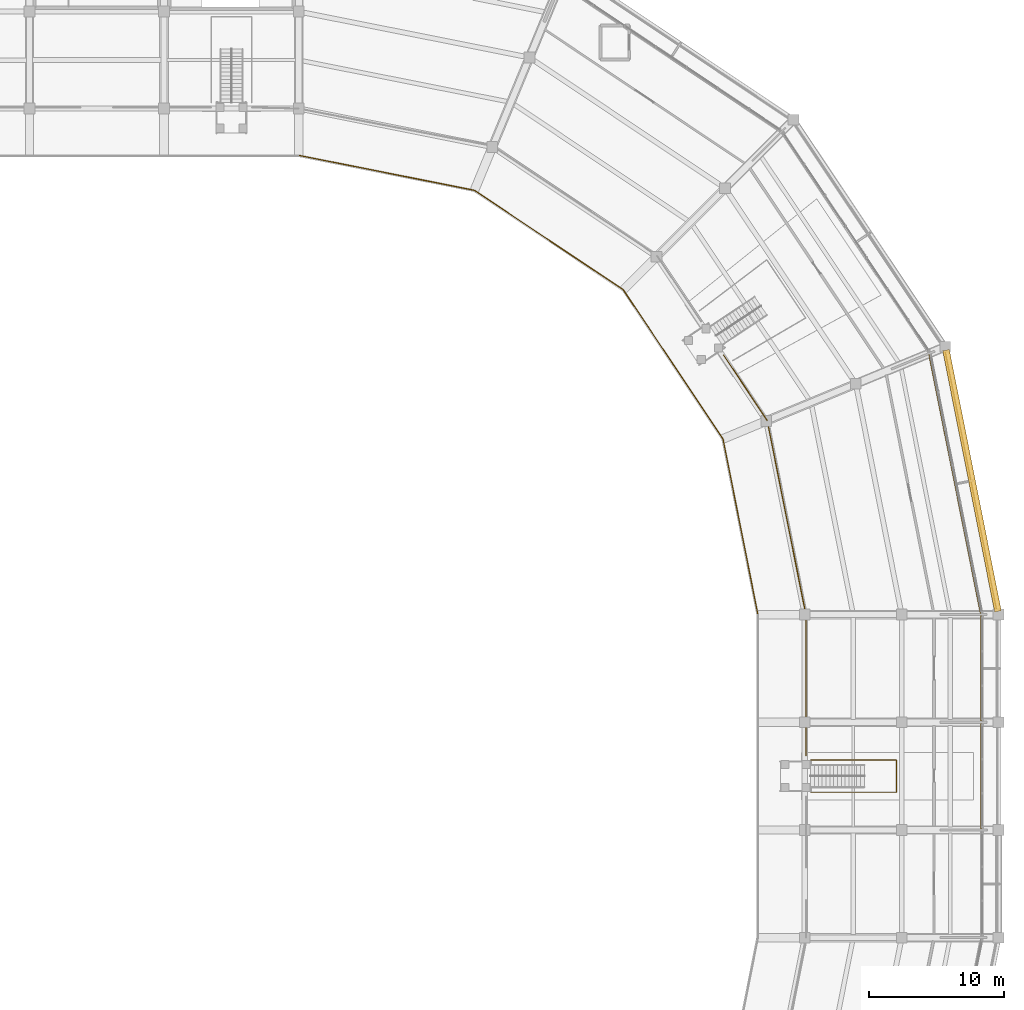
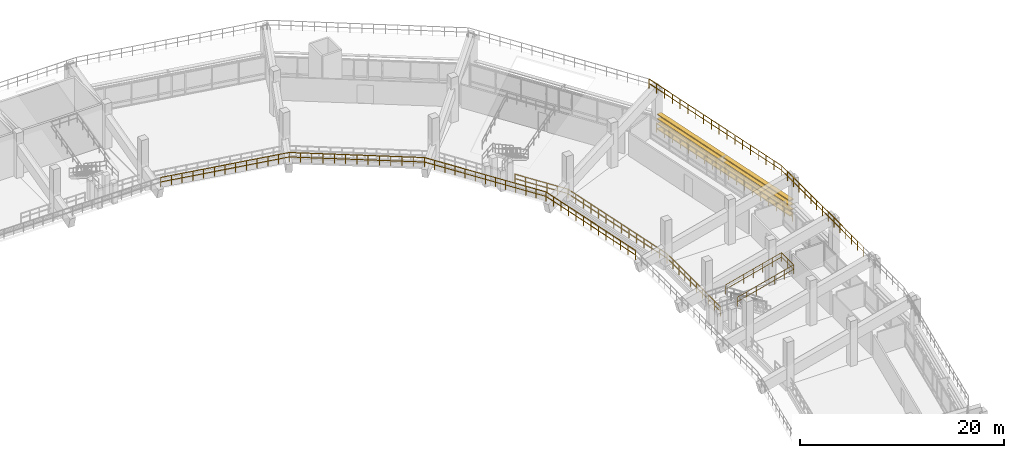
# One storey, part 91 of 96: 12 railings, 4 shading devices.
"""IFC4 building model written with IfcOpenShell, lengths in metres."""

from ifc_helpers import new_model, si_unit, direction, frame, origin, origin_2d, place, context, subcontext, project, spatial, rectangle, circle, extrude, material, layer, layer_set, type_object, element, save


model = new_model("IFC4")

# Units and contexts
model_context = context("Model", 3, precision=1e-05, world=origin(), true_north=direction((0.0, 1.0)))
body_context = subcontext(model_context, "Body", "Model", "MODEL_VIEW")
ifc_project = project(units=[si_unit("LENGTHUNIT", "METRE"), si_unit("AREAUNIT", "SQUARE_METRE"), si_unit("VOLUMEUNIT", "CUBIC_METRE"), si_unit("PLANEANGLEUNIT", "RADIAN"), si_unit("MASSUNIT", "GRAM", prefix="KILO")], contexts=[model_context])

# Site, building, storey
site_placement = place(None, origin())
site = spatial("IfcSite", under=ifc_project, at=site_placement, CompositionType="ELEMENT")
building_placement = place(site_placement, origin())
building = spatial("IfcBuilding", under=site, at=building_placement, Name="Candeia Ridge Stadium", CompositionType="ELEMENT")
storey_placement = place(building_placement, frame((0.0, 0.0, 21.60009765625)))
storey = spatial("IfcBuildingStorey", under=building, at=storey_placement, Name="L04", CompositionType="ELEMENT", Elevation=21.60009765625)

# Railings
ifc_material_1 = material(Name="Galvanized Powder-Coated Steel", Category="steel")
ifc_layer_1 = layer(ifc_material_1, 0.074951171875, Name="Galvanized Powder-Coated Steel", Category="steel")
ifc_layer_set_1 = layer_set([ifc_layer_1], Name="Galvanized Powder-Coated Steel")
railing_type_1 = type_object("IfcRailingType", Name="Spectator Bowl Front Guardrail 1120", PredefinedType="GUARDRAIL", material=ifc_layer_set_1)
for number, where, name in (
    (1, (191.679931640625, 79.0, 6.0), "Stand T3 rear safety guardrail bay 31"),
    (2, (191.679931640625, 87.0, 6.0), "Stand T3 rear safety guardrail bay 32"),
):
    element("IfcRailing", number, at=place(storey_placement, frame(where)), inside=storey, type_object=railing_type_1, Name=name, PredefinedType="GUARDRAIL", context=body_context, shape_type="SweptSolid", body=[
        extrude(circle(Radius=0.02392578125, at=origin_2d()), frame((0.0, 0.0, 1.09619140625), z_axis=(0.0, 1.0, 0.0), x_axis=(-1.0, 0.0, 0.0)), (0.0, 0.0, 1.0), 8.0),
        extrude(circle(Radius=0.02392578125, at=origin_2d()), frame((0.0, 0.0, 0.56005859375), z_axis=(0.0, 1.0, 0.0), x_axis=(-1.0, 0.0, 0.0)), (0.0, 0.0, 1.0), 8.0),
        extrude(circle(Radius=0.02099609375, at=origin_2d()), origin(), (0.0, 0.0, 1.0), 1.072021484375),
        extrude(circle(Radius=0.02099609375, at=origin_2d()), frame((0.0, 1.142822265625, 0.0)), (0.0, 0.0, 1.0), 1.072021484375),
        extrude(circle(Radius=0.02099609375, at=origin_2d()), frame((0.0, 2.28564453125, 0.0)), (0.0, 0.0, 1.0), 1.072021484375),
        extrude(circle(Radius=0.02099609375, at=origin_2d()), frame((0.0, 3.428466796875, 0.0)), (0.0, 0.0, 1.0), 1.072021484375),
        extrude(circle(Radius=0.02099609375, at=origin_2d()), frame((0.0, 4.571533203125, 0.0)), (0.0, 0.0, 1.0), 1.072021484375),
        extrude(circle(Radius=0.02099609375, at=origin_2d()), frame((0.0, 5.71435546875, 0.0)), (0.0, 0.0, 1.0), 1.072021484375),
        extrude(circle(Radius=0.02099609375, at=origin_2d()), frame((0.0, 6.857177734375, 0.0)), (0.0, 0.0, 1.0), 1.072021484375),
        extrude(circle(Radius=0.02099609375, at=origin_2d()), frame((0.0, 8.0, 0.0)), (0.0, 0.0, 1.0), 1.072021484375),
    ])
railing_1_placement = place(storey_placement, frame((175.1201171875, 95.0, 1.64990234375)))
element("IfcRailing", 3, at=railing_1_placement, inside=storey, type_object=railing_type_1, Name="Stand T3 front safety guardrail bay 33", PredefinedType="GUARDRAIL", context=body_context, shape_type="SweptSolid", body=[
    extrude(circle(Radius=0.02392578125, at=origin_2d()), frame((0.0, 0.0, 1.09619140625), z_axis=(-0.195103883511, 0.980782582757, 0.0), x_axis=(-0.980782582757, -0.195103883511, 0.0)), (0.0, 0.0, 1.0), 13.31298828125),
    extrude(circle(Radius=0.02392578125, at=origin_2d()), frame((0.0, 0.0, 0.56005859375), z_axis=(-0.195103883511, 0.980782582757, 0.0), x_axis=(-0.980782582757, -0.195103883511, 0.0)), (0.0, 0.0, 1.0), 13.31298828125),
    extrude(circle(Radius=0.02099609375, at=origin_2d()), origin(), (0.0, 0.0, 1.0), 1.072021484375),
    extrude(circle(Radius=0.02099609375, at=origin_2d()), frame((-0.216552734375, 1.088134765625, 0.0)), (0.0, 0.0, 1.0), 1.072021484375),
    extrude(circle(Radius=0.02099609375, at=origin_2d()), frame((-0.432861328125, 2.17626953125, 0.0)), (0.0, 0.0, 1.0), 1.072021484375),
    extrude(circle(Radius=0.02099609375, at=origin_2d()), frame((-0.6494140625, 3.26416015625, 0.0)), (0.0, 0.0, 1.0), 1.072021484375),
    extrude(circle(Radius=0.02099609375, at=origin_2d()), frame((-0.86572265625, 4.352294921875, 0.0)), (0.0, 0.0, 1.0), 1.072021484375),
    extrude(circle(Radius=0.02099609375, at=origin_2d()), frame((-1.082275390625, 5.4404296875, 0.0)), (0.0, 0.0, 1.0), 1.072021484375),
    extrude(circle(Radius=0.02099609375, at=origin_2d()), frame((-1.298828125, 6.528564453125, 0.0)), (0.0, 0.0, 1.0), 1.072021484375),
    extrude(circle(Radius=0.02099609375, at=origin_2d()), frame((-1.51513671875, 7.61669921875, 0.0)), (0.0, 0.0, 1.0), 1.072021484375),
    extrude(circle(Radius=0.02099609375, at=origin_2d()), frame((-1.731689453125, 8.704833984375, 0.0)), (0.0, 0.0, 1.0), 1.072021484375),
    extrude(circle(Radius=0.02099609375, at=origin_2d()), frame((-1.947998046875, 9.79296875, 0.0)), (0.0, 0.0, 1.0), 1.072021484375),
    extrude(circle(Radius=0.02099609375, at=origin_2d()), frame((-2.16455078125, 10.880859375, 0.0)), (0.0, 0.0, 1.0), 1.072021484375),
    extrude(circle(Radius=0.02099609375, at=origin_2d()), frame((-2.380859375, 11.968994140625, 0.0)), (0.0, 0.0, 1.0), 1.072021484375),
    extrude(circle(Radius=0.02099609375, at=origin_2d()), frame((-2.597412109375, 13.05712890625, 0.0)), (0.0, 0.0, 1.0), 1.072021484375),
])
railing_2_placement = place(storey_placement, frame((191.679931640625, 95.0, 6.0)))
element("IfcRailing", 4, at=railing_2_placement, inside=storey, type_object=railing_type_1, Name="Stand T3 rear safety guardrail bay 33", PredefinedType="GUARDRAIL", context=body_context, shape_type="SweptSolid", body=[
    extrude(circle(Radius=0.02392578125, at=origin_2d()), frame((0.0, 0.0, 1.09619140625), z_axis=(-0.195085576731, 0.980786224287, 0.0), x_axis=(-0.980786224287, -0.195085576731, 0.0)), (0.0, 0.0, 1.0), 19.774169921875),
    extrude(circle(Radius=0.02392578125, at=origin_2d()), frame((0.0, 0.0, 0.56005859375), z_axis=(-0.195085576731, 0.980786224287, 0.0), x_axis=(-0.980786224287, -0.195085576731, 0.0)), (0.0, 0.0, 1.0), 19.774169921875),
    extrude(circle(Radius=0.02099609375, at=origin_2d()), origin(), (0.0, 0.0, 1.0), 1.072021484375),
    extrude(circle(Radius=0.02099609375, at=origin_2d()), frame((-0.226806640625, 1.140869140625, 0.0)), (0.0, 0.0, 1.0), 1.072021484375),
    extrude(circle(Radius=0.02099609375, at=origin_2d()), frame((-0.453857421875, 2.28173828125, 0.0)), (0.0, 0.0, 1.0), 1.072021484375),
    extrude(circle(Radius=0.02099609375, at=origin_2d()), frame((-0.6806640625, 3.422607421875, 0.0)), (0.0, 0.0, 1.0), 1.072021484375),
    extrude(circle(Radius=0.02099609375, at=origin_2d()), frame((-0.90771484375, 4.5634765625, 0.0)), (0.0, 0.0, 1.0), 1.072021484375),
    extrude(circle(Radius=0.02099609375, at=origin_2d()), frame((-1.134521484375, 5.7041015625, 0.0)), (0.0, 0.0, 1.0), 1.072021484375),
    extrude(circle(Radius=0.02099609375, at=origin_2d()), frame((-1.361572265625, 6.844970703125, 0.0)), (0.0, 0.0, 1.0), 1.072021484375),
    extrude(circle(Radius=0.02099609375, at=origin_2d()), frame((-1.58837890625, 7.98583984375, 0.0)), (0.0, 0.0, 1.0), 1.072021484375),
    extrude(circle(Radius=0.02099609375, at=origin_2d()), frame((-1.8154296875, 9.126708984375, 0.0)), (0.0, 0.0, 1.0), 1.072021484375),
    extrude(circle(Radius=0.02099609375, at=origin_2d()), frame((-2.042236328125, 10.267578125, 0.0)), (0.0, 0.0, 1.0), 1.072021484375),
    extrude(circle(Radius=0.02099609375, at=origin_2d()), frame((-2.269287109375, 11.408447265625, 0.0)), (0.0, 0.0, 1.0), 1.072021484375),
    extrude(circle(Radius=0.02099609375, at=origin_2d()), frame((-2.49609375, 12.54931640625, 0.0)), (0.0, 0.0, 1.0), 1.072021484375),
    extrude(circle(Radius=0.02099609375, at=origin_2d()), frame((-2.72314453125, 13.690185546875, 0.0)), (0.0, 0.0, 1.0), 1.072021484375),
    extrude(circle(Radius=0.02099609375, at=origin_2d()), frame((-2.949951171875, 14.830810546875, 0.0)), (0.0, 0.0, 1.0), 1.072021484375),
    extrude(circle(Radius=0.02099609375, at=origin_2d()), frame((-3.177001953125, 15.9716796875, 0.0)), (0.0, 0.0, 1.0), 1.072021484375),
    extrude(circle(Radius=0.02099609375, at=origin_2d()), frame((-3.40380859375, 17.112548828125, 0.0)), (0.0, 0.0, 1.0), 1.072021484375),
    extrude(circle(Radius=0.02099609375, at=origin_2d()), frame((-3.630859375, 18.25341796875, 0.0)), (0.0, 0.0, 1.0), 1.072021484375),
    extrude(circle(Radius=0.02099609375, at=origin_2d()), frame((-3.857666015625, 19.394287109375, 0.0)), (0.0, 0.0, 1.0), 1.072021484375),
])
railing_3_placement = place(storey_placement, frame((172.522705078125, 108.05712890625, 1.64990234375)))
element("IfcRailing", 5, at=railing_3_placement, inside=storey, type_object=railing_type_1, Name="Stand T3 front safety guardrail bay 34", PredefinedType="GUARDRAIL", context=body_context, shape_type="SweptSolid", body=[
    extrude(circle(Radius=0.02392578125, at=origin_2d()), frame((0.0, 0.0, 1.09619140625), z_axis=(-0.555567450865, 0.831471471272, 0.0), x_axis=(-0.831471471272, -0.555567450865, 0.0)), (0.0, 0.0, 1.0), 13.31298828125),
    extrude(circle(Radius=0.02392578125, at=origin_2d()), frame((0.0, 0.0, 0.56005859375), z_axis=(-0.555567450865, 0.831471471272, 0.0), x_axis=(-0.831471471272, -0.555567450865, 0.0)), (0.0, 0.0, 1.0), 13.31298828125),
    extrude(circle(Radius=0.02099609375, at=origin_2d()), origin(), (0.0, 0.0, 1.0), 1.072021484375),
    extrude(circle(Radius=0.02099609375, at=origin_2d()), frame((-0.616455078125, 0.92236328125, 0.0)), (0.0, 0.0, 1.0), 1.072021484375),
    extrude(circle(Radius=0.02099609375, at=origin_2d()), frame((-1.232666015625, 1.844970703125, 0.0)), (0.0, 0.0, 1.0), 1.072021484375),
    extrude(circle(Radius=0.02099609375, at=origin_2d()), frame((-1.84912109375, 2.767333984375, 0.0)), (0.0, 0.0, 1.0), 1.072021484375),
    extrude(circle(Radius=0.02099609375, at=origin_2d()), frame((-2.46533203125, 3.689697265625, 0.0)), (0.0, 0.0, 1.0), 1.072021484375),
    extrude(circle(Radius=0.02099609375, at=origin_2d()), frame((-3.081787109375, 4.6123046875, 0.0)), (0.0, 0.0, 1.0), 1.072021484375),
    extrude(circle(Radius=0.02099609375, at=origin_2d()), frame((-3.6982421875, 5.53466796875, 0.0)), (0.0, 0.0, 1.0), 1.072021484375),
    extrude(circle(Radius=0.02099609375, at=origin_2d()), frame((-4.314453125, 6.45703125, 0.0)), (0.0, 0.0, 1.0), 1.072021484375),
    extrude(circle(Radius=0.02099609375, at=origin_2d()), frame((-4.930908203125, 7.379638671875, 0.0)), (0.0, 0.0, 1.0), 1.072021484375),
    extrude(circle(Radius=0.02099609375, at=origin_2d()), frame((-5.547119140625, 8.302001953125, 0.0)), (0.0, 0.0, 1.0), 1.072021484375),
    extrude(circle(Radius=0.02099609375, at=origin_2d()), frame((-6.16357421875, 9.224365234375, 0.0)), (0.0, 0.0, 1.0), 1.072021484375),
    extrude(circle(Radius=0.02099609375, at=origin_2d()), frame((-6.77978515625, 10.14697265625, 0.0)), (0.0, 0.0, 1.0), 1.072021484375),
    extrude(circle(Radius=0.02099609375, at=origin_2d()), frame((-7.396240234375, 11.0693359375, 0.0)), (0.0, 0.0, 1.0), 1.072021484375),
])
railing_4_placement = place(storey_placement, frame((165.12646484375, 119.12646484375, 1.64990234375)))
element("IfcRailing", 6, at=railing_4_placement, inside=storey, type_object=railing_type_1, Name="Stand T3 front safety guardrail bay 35", PredefinedType="GUARDRAIL", context=body_context, shape_type="SweptSolid", body=[
    extrude(circle(Radius=0.02392578125, at=origin_2d()), frame((0.0, 0.0, 1.09619140625), z_axis=(-0.831471471272, 0.555567450865, 0.0), x_axis=(-0.555567450865, -0.831471471272, 0.0)), (0.0, 0.0, 1.0), 13.31298828125),
    extrude(circle(Radius=0.02392578125, at=origin_2d()), frame((0.0, 0.0, 0.56005859375), z_axis=(-0.831471471272, 0.555567450865, 0.0), x_axis=(-0.555567450865, -0.831471471272, 0.0)), (0.0, 0.0, 1.0), 13.31298828125),
    extrude(circle(Radius=0.02099609375, at=origin_2d()), origin(), (0.0, 0.0, 1.0), 1.072021484375),
    extrude(circle(Radius=0.02099609375, at=origin_2d()), frame((-0.92236328125, 0.616455078125, 0.0)), (0.0, 0.0, 1.0), 1.072021484375),
    extrude(circle(Radius=0.02099609375, at=origin_2d()), frame((-1.844970703125, 1.232666015625, 0.0)), (0.0, 0.0, 1.0), 1.072021484375),
    extrude(circle(Radius=0.02099609375, at=origin_2d()), frame((-2.767333984375, 1.84912109375, 0.0)), (0.0, 0.0, 1.0), 1.072021484375),
    extrude(circle(Radius=0.02099609375, at=origin_2d()), frame((-3.689697265625, 2.46533203125, 0.0)), (0.0, 0.0, 1.0), 1.072021484375),
    extrude(circle(Radius=0.02099609375, at=origin_2d()), frame((-4.6123046875, 3.081787109375, 0.0)), (0.0, 0.0, 1.0), 1.072021484375),
    extrude(circle(Radius=0.02099609375, at=origin_2d()), frame((-5.53466796875, 3.6982421875, 0.0)), (0.0, 0.0, 1.0), 1.072021484375),
    extrude(circle(Radius=0.02099609375, at=origin_2d()), frame((-6.45703125, 4.314453125, 0.0)), (0.0, 0.0, 1.0), 1.072021484375),
    extrude(circle(Radius=0.02099609375, at=origin_2d()), frame((-7.379638671875, 4.930908203125, 0.0)), (0.0, 0.0, 1.0), 1.072021484375),
    extrude(circle(Radius=0.02099609375, at=origin_2d()), frame((-8.302001953125, 5.547119140625, 0.0)), (0.0, 0.0, 1.0), 1.072021484375),
    extrude(circle(Radius=0.02099609375, at=origin_2d()), frame((-9.224365234375, 6.16357421875, 0.0)), (0.0, 0.0, 1.0), 1.072021484375),
    extrude(circle(Radius=0.02099609375, at=origin_2d()), frame((-10.14697265625, 6.77978515625, 0.0)), (0.0, 0.0, 1.0), 1.072021484375),
    extrude(circle(Radius=0.02099609375, at=origin_2d()), frame((-11.0693359375, 7.396240234375, 0.0)), (0.0, 0.0, 1.0), 1.072021484375),
])
railing_5_placement = place(storey_placement, frame((154.05712890625, 126.522705078125, 1.64990234375)))
element("IfcRailing", 7, at=railing_5_placement, inside=storey, type_object=railing_type_1, Name="Stand T3 front safety guardrail bay 36", PredefinedType="GUARDRAIL", context=body_context, shape_type="SweptSolid", body=[
    extrude(circle(Radius=0.02392578125, at=origin_2d()), frame((0.0, 0.0, 1.09619140625), z_axis=(-0.980782582757, 0.195103883511, 0.0), x_axis=(-0.195103883511, -0.980782582757, 0.0)), (0.0, 0.0, 1.0), 13.31298828125),
    extrude(circle(Radius=0.02392578125, at=origin_2d()), frame((0.0, 0.0, 0.56005859375), z_axis=(-0.980782582757, 0.195103883511, 0.0), x_axis=(-0.195103883511, -0.980782582757, 0.0)), (0.0, 0.0, 1.0), 13.31298828125),
    extrude(circle(Radius=0.02099609375, at=origin_2d()), origin(), (0.0, 0.0, 1.0), 1.072021484375),
    extrude(circle(Radius=0.02099609375, at=origin_2d()), frame((-1.088134765625, 0.216552734375, 0.0)), (0.0, 0.0, 1.0), 1.072021484375),
    extrude(circle(Radius=0.02099609375, at=origin_2d()), frame((-2.17626953125, 0.432861328125, 0.0)), (0.0, 0.0, 1.0), 1.072021484375),
    extrude(circle(Radius=0.02099609375, at=origin_2d()), frame((-3.26416015625, 0.6494140625, 0.0)), (0.0, 0.0, 1.0), 1.072021484375),
    extrude(circle(Radius=0.02099609375, at=origin_2d()), frame((-4.352294921875, 0.86572265625, 0.0)), (0.0, 0.0, 1.0), 1.072021484375),
    extrude(circle(Radius=0.02099609375, at=origin_2d()), frame((-5.4404296875, 1.082275390625, 0.0)), (0.0, 0.0, 1.0), 1.072021484375),
    extrude(circle(Radius=0.02099609375, at=origin_2d()), frame((-6.528564453125, 1.298828125, 0.0)), (0.0, 0.0, 1.0), 1.072021484375),
    extrude(circle(Radius=0.02099609375, at=origin_2d()), frame((-7.61669921875, 1.51513671875, 0.0)), (0.0, 0.0, 1.0), 1.072021484375),
    extrude(circle(Radius=0.02099609375, at=origin_2d()), frame((-8.704833984375, 1.731689453125, 0.0)), (0.0, 0.0, 1.0), 1.072021484375),
    extrude(circle(Radius=0.02099609375, at=origin_2d()), frame((-9.79296875, 1.947998046875, 0.0)), (0.0, 0.0, 1.0), 1.072021484375),
    extrude(circle(Radius=0.02099609375, at=origin_2d()), frame((-10.880859375, 2.16455078125, 0.0)), (0.0, 0.0, 1.0), 1.072021484375),
    extrude(circle(Radius=0.02099609375, at=origin_2d()), frame((-11.968994140625, 2.380859375, 0.0)), (0.0, 0.0, 1.0), 1.072021484375),
    extrude(circle(Radius=0.02099609375, at=origin_2d()), frame((-13.05712890625, 2.597412109375, 0.0)), (0.0, 0.0, 1.0), 1.072021484375),
])
railing_6_placement = place(storey_placement, frame((188.963134765625, 114.8837890625, 0.0)))
element("IfcRailing", 8, at=railing_6_placement, inside=storey, type_object=railing_type_1, Name="Deck edge safety guardrail GR-DE-L04-0197", PredefinedType="GUARDRAIL", context=body_context, shape_type="SweptSolid", body=[
    extrude(circle(Radius=0.02392578125, at=origin_2d()), frame((0.0, 0.0, 1.09619140625), z_axis=(0.195168873748, -0.980769652222, 0.0), x_axis=(0.980769652222, 0.195168873748, 0.0)), (0.0, 0.0, 1.0), 20.273681640625),
    extrude(circle(Radius=0.02392578125, at=origin_2d()), frame((0.0, 0.0, 0.56005859375), z_axis=(0.195168873748, -0.980769652222, 0.0), x_axis=(0.980769652222, 0.195168873748, 0.0)), (0.0, 0.0, 1.0), 20.273681640625),
    extrude(circle(Radius=0.02099609375, at=origin_2d()), origin(), (0.0, 0.0, 1.0), 1.072021484375),
    extrude(circle(Radius=0.02099609375, at=origin_2d()), frame((0.232666015625, -1.169677734375, 0.0)), (0.0, 0.0, 1.0), 1.072021484375),
    extrude(circle(Radius=0.02099609375, at=origin_2d()), frame((0.465576171875, -2.33935546875, 0.0)), (0.0, 0.0, 1.0), 1.072021484375),
    extrude(circle(Radius=0.02099609375, at=origin_2d()), frame((0.6982421875, -3.5087890625, 0.0)), (0.0, 0.0, 1.0), 1.072021484375),
    extrude(circle(Radius=0.02099609375, at=origin_2d()), frame((0.930908203125, -4.678466796875, 0.0)), (0.0, 0.0, 1.0), 1.072021484375),
    extrude(circle(Radius=0.02099609375, at=origin_2d()), frame((1.163818359375, -5.84814453125, 0.0)), (0.0, 0.0, 1.0), 1.072021484375),
    extrude(circle(Radius=0.02099609375, at=origin_2d()), frame((1.396484375, -7.017822265625, 0.0)), (0.0, 0.0, 1.0), 1.072021484375),
    extrude(circle(Radius=0.02099609375, at=origin_2d()), frame((1.629150390625, -8.1875, 0.0)), (0.0, 0.0, 1.0), 1.072021484375),
    extrude(circle(Radius=0.02099609375, at=origin_2d()), frame((1.862060546875, -9.357177734375, 0.0)), (0.0, 0.0, 1.0), 1.072021484375),
    extrude(circle(Radius=0.02099609375, at=origin_2d()), frame((2.0947265625, -10.526611328125, 0.0)), (0.0, 0.0, 1.0), 1.072021484375),
    extrude(circle(Radius=0.02099609375, at=origin_2d()), frame((2.32763671875, -11.6962890625, 0.0)), (0.0, 0.0, 1.0), 1.072021484375),
    extrude(circle(Radius=0.02099609375, at=origin_2d()), frame((2.560302734375, -12.865966796875, 0.0)), (0.0, 0.0, 1.0), 1.072021484375),
    extrude(circle(Radius=0.02099609375, at=origin_2d()), frame((2.79296875, -14.03564453125, 0.0)), (0.0, 0.0, 1.0), 1.072021484375),
    extrude(circle(Radius=0.02099609375, at=origin_2d()), frame((3.02587890625, -15.205322265625, 0.0)), (0.0, 0.0, 1.0), 1.072021484375),
    extrude(circle(Radius=0.02099609375, at=origin_2d()), frame((3.258544921875, -16.375, 0.0)), (0.0, 0.0, 1.0), 1.072021484375),
    extrude(circle(Radius=0.02099609375, at=origin_2d()), frame((3.4912109375, -17.54443359375, 0.0)), (0.0, 0.0, 1.0), 1.072021484375),
    extrude(circle(Radius=0.02099609375, at=origin_2d()), frame((3.72412109375, -18.714111328125, 0.0)), (0.0, 0.0, 1.0), 1.072021484375),
    extrude(circle(Radius=0.02099609375, at=origin_2d()), frame((3.956787109375, -19.8837890625, 0.0)), (0.0, 0.0, 1.0), 1.072021484375),
])
railing_7_placement = place(storey_placement, frame((178.679931640625, 84.52001953125, 0.0)))
element("IfcRailing", 9, at=railing_7_placement, inside=storey, type_object=railing_type_1, Name="Deck edge safety guardrail GR-DE-L04-0223", PredefinedType="GUARDRAIL", context=body_context, shape_type="SweptSolid", body=[
    extrude(circle(Radius=0.02392578125, at=origin_2d()), frame((0.0, 0.0, 1.09619140625), z_axis=(-0.00013956734, 0.99999999026, 0.0), x_axis=(-0.99999999026, -0.00013956734, 0.0)), (0.0, 0.0, 1.0), 10.49560546875),
    extrude(circle(Radius=0.02392578125, at=origin_2d()), frame((0.0, 0.0, 0.56005859375), z_axis=(-0.00013956734, 0.99999999026, 0.0), x_axis=(-0.99999999026, -0.00013956734, 0.0)), (0.0, 0.0, 1.0), 10.49560546875),
    extrude(circle(Radius=0.02099609375, at=origin_2d()), origin(), (0.0, 0.0, 1.0), 1.072021484375),
    extrude(circle(Radius=0.02099609375, at=origin_2d()), frame((-0.000244140625, 1.166259765625, 0.0)), (0.0, 0.0, 1.0), 1.072021484375),
    extrude(circle(Radius=0.02099609375, at=origin_2d()), frame((-0.000244140625, 2.332275390625, 0.0)), (0.0, 0.0, 1.0), 1.072021484375),
    extrude(circle(Radius=0.02099609375, at=origin_2d()), frame((-0.00048828125, 3.49853515625, 0.0)), (0.0, 0.0, 1.0), 1.072021484375),
    extrude(circle(Radius=0.02099609375, at=origin_2d()), frame((-0.000732421875, 4.664794921875, 0.0)), (0.0, 0.0, 1.0), 1.072021484375),
    extrude(circle(Radius=0.02099609375, at=origin_2d()), frame((-0.000732421875, 5.830810546875, 0.0)), (0.0, 0.0, 1.0), 1.072021484375),
    extrude(circle(Radius=0.02099609375, at=origin_2d()), frame((-0.0009765625, 6.9970703125, 0.0)), (0.0, 0.0, 1.0), 1.072021484375),
    extrude(circle(Radius=0.02099609375, at=origin_2d()), frame((-0.001220703125, 8.163330078125, 0.0)), (0.0, 0.0, 1.0), 1.072021484375),
    extrude(circle(Radius=0.02099609375, at=origin_2d()), frame((-0.001220703125, 9.329345703125, 0.0)), (0.0, 0.0, 1.0), 1.072021484375),
    extrude(circle(Radius=0.02099609375, at=origin_2d()), frame((-0.00146484375, 10.49560546875, 0.0)), (0.0, 0.0, 1.0), 1.072021484375),
])
railing_8_placement = place(storey_placement, frame((178.678466796875, 95.015625, 0.0)))
element("IfcRailing", 10, at=railing_8_placement, inside=storey, type_object=railing_type_1, Name="Deck edge safety guardrail GR-DE-L04-0224", PredefinedType="GUARDRAIL", context=body_context, shape_type="SweptSolid", body=[
    extrude(circle(Radius=0.02392578125, at=origin_2d()), frame((0.0, 0.0, 1.09619140625), z_axis=(-0.19549334665, 0.98070502773, 0.0), x_axis=(-0.98070502773, -0.19549334665, 0.0)), (0.0, 0.0, 1.0), 14.701416015625),
    extrude(circle(Radius=0.02392578125, at=origin_2d()), frame((0.0, 0.0, 0.56005859375), z_axis=(-0.19549334665, 0.98070502773, 0.0), x_axis=(-0.98070502773, -0.19549334665, 0.0)), (0.0, 0.0, 1.0), 14.701416015625),
    extrude(circle(Radius=0.02099609375, at=origin_2d()), origin(), (0.0, 0.0, 1.0), 1.072021484375),
    extrude(circle(Radius=0.02099609375, at=origin_2d()), frame((-0.22119140625, 1.109130859375, 0.0)), (0.0, 0.0, 1.0), 1.072021484375),
    extrude(circle(Radius=0.02099609375, at=origin_2d()), frame((-0.442138671875, 2.218017578125, 0.0)), (0.0, 0.0, 1.0), 1.072021484375),
    extrude(circle(Radius=0.02099609375, at=origin_2d()), frame((-0.663330078125, 3.3271484375, 0.0)), (0.0, 0.0, 1.0), 1.072021484375),
    extrude(circle(Radius=0.02099609375, at=origin_2d()), frame((-0.88427734375, 4.436279296875, 0.0)), (0.0, 0.0, 1.0), 1.072021484375),
    extrude(circle(Radius=0.02099609375, at=origin_2d()), frame((-1.10546875, 5.545166015625, 0.0)), (0.0, 0.0, 1.0), 1.072021484375),
    extrude(circle(Radius=0.02099609375, at=origin_2d()), frame((-1.326416015625, 6.654296875, 0.0)), (0.0, 0.0, 1.0), 1.072021484375),
    extrude(circle(Radius=0.02099609375, at=origin_2d()), frame((-1.547607421875, 7.763427734375, 0.0)), (0.0, 0.0, 1.0), 1.072021484375),
    extrude(circle(Radius=0.02099609375, at=origin_2d()), frame((-1.7685546875, 8.87255859375, 0.0)), (0.0, 0.0, 1.0), 1.072021484375),
    extrude(circle(Radius=0.02099609375, at=origin_2d()), frame((-1.98974609375, 9.9814453125, 0.0)), (0.0, 0.0, 1.0), 1.072021484375),
    extrude(circle(Radius=0.02099609375, at=origin_2d()), frame((-2.210693359375, 11.090576171875, 0.0)), (0.0, 0.0, 1.0), 1.072021484375),
    extrude(circle(Radius=0.02099609375, at=origin_2d()), frame((-2.431884765625, 12.19970703125, 0.0)), (0.0, 0.0, 1.0), 1.072021484375),
    extrude(circle(Radius=0.02099609375, at=origin_2d()), frame((-2.65283203125, 13.30859375, 0.0)), (0.0, 0.0, 1.0), 1.072021484375),
    extrude(circle(Radius=0.02099609375, at=origin_2d()), frame((-2.8740234375, 14.417724609375, 0.0)), (0.0, 0.0, 1.0), 1.072021484375),
])
railing_9_placement = place(storey_placement, frame((175.804443359375, 109.433349609375, 0.0)))
element("IfcRailing", 11, at=railing_9_placement, inside=storey, type_object=railing_type_1, Name="Deck edge safety guardrail GR-DE-L04-0225", PredefinedType="GUARDRAIL", context=body_context, shape_type="SweptSolid", body=[
    extrude(circle(Radius=0.02392578125, at=origin_2d()), frame((0.0, 0.0, 1.09619140625), z_axis=(-0.55557179728, 0.831468567095, 0.0), x_axis=(-0.831468567095, -0.55557179728, 0.0)), (0.0, 0.0, 1.0), 5.815673828125),
    extrude(circle(Radius=0.02392578125, at=origin_2d()), frame((0.0, 0.0, 0.56005859375), z_axis=(-0.55557179728, 0.831468567095, 0.0), x_axis=(-0.831468567095, -0.55557179728, 0.0)), (0.0, 0.0, 1.0), 5.815673828125),
    extrude(circle(Radius=0.02099609375, at=origin_2d()), origin(), (0.0, 0.0, 1.0), 1.072021484375),
    extrude(circle(Radius=0.02099609375, at=origin_2d()), frame((-0.646240234375, 0.967041015625, 0.0)), (0.0, 0.0, 1.0), 1.072021484375),
    extrude(circle(Radius=0.02099609375, at=origin_2d()), frame((-1.29248046875, 1.93408203125, 0.0)), (0.0, 0.0, 1.0), 1.072021484375),
    extrude(circle(Radius=0.02099609375, at=origin_2d()), frame((-1.9384765625, 2.9013671875, 0.0)), (0.0, 0.0, 1.0), 1.072021484375),
    extrude(circle(Radius=0.02099609375, at=origin_2d()), frame((-2.584716796875, 3.868408203125, 0.0)), (0.0, 0.0, 1.0), 1.072021484375),
    extrude(circle(Radius=0.02099609375, at=origin_2d()), frame((-3.23095703125, 4.83544921875, 0.0)), (0.0, 0.0, 1.0), 1.072021484375),
])
ifc_layer_2 = layer(ifc_material_1, 0.070068359375, Name="Galvanized Powder-Coated Steel", Category="steel")
ifc_layer_set_2 = layer_set([ifc_layer_2], Name="Galvanized Powder-Coated Steel")
railing_type_2 = type_object("IfcRailingType", Name="Vomitory Portal Guardrail 1100", PredefinedType="GUARDRAIL", material=ifc_layer_set_2)
railing_10_placement = place(storey_placement, frame((179.031982421875, 81.800048828125, 2.69384765625)))
element("IfcRailing", 12, at=railing_10_placement, inside=storey, type_object=railing_type_2, Name="Vomitory portal guardrail VS35", PredefinedType="GUARDRAIL", context=body_context, shape_type="SweptSolid", body=[
    extrude(circle(Radius=0.02392578125, at=origin_2d()), frame((0.0, 0.0, 1.076171875), z_axis=(0.9680721346, 0.0, 0.250671781842), x_axis=(0.0, 1.0, 0.0)), (0.0, 0.0, 1.0), 6.594482421875),
    extrude(circle(Radius=0.02392578125, at=origin_2d()), frame((0.0, 0.0, 0.550048828125), z_axis=(0.9680721346, 0.0, 0.250671781842), x_axis=(0.0, 1.0, 0.0)), (0.0, 0.0, 1.0), 6.594482421875),
    extrude(circle(Radius=0.02392578125, at=origin_2d()), frame((6.384033203125, 0.0, 2.72900390625), z_axis=(0.0, 1.0, 0.0), x_axis=(-1.0, 0.0, 0.0)), (0.0, 0.0, 1.0), 2.39990234375),
    extrude(circle(Radius=0.02392578125, at=origin_2d()), frame((6.384033203125, 0.0, 2.203125), z_axis=(0.0, 1.0, 0.0), x_axis=(-1.0, 0.0, 0.0)), (0.0, 0.0, 1.0), 2.39990234375),
    extrude(circle(Radius=0.02392578125, at=origin_2d()), frame((6.384033203125, 2.39990234375, 2.72900390625), z_axis=(-0.9680721346, 0.0, -0.250671781842), x_axis=(0.0, -1.0, 0.0)), (0.0, 0.0, 1.0), 6.594482421875),
    extrude(circle(Radius=0.02392578125, at=origin_2d()), frame((6.384033203125, 2.39990234375, 2.203125), z_axis=(-0.9680721346, 0.0, -0.250671781842), x_axis=(0.0, -1.0, 0.0)), (0.0, 0.0, 1.0), 6.594482421875),
    extrude(circle(Radius=0.02099609375, at=origin_2d()), origin(), (0.0, 0.0, 1.0), 1.052001953125),
    extrude(circle(Radius=0.02099609375, at=origin_2d()), frame((1.06396484375, 0.0, 0.275390625)), (0.0, 0.0, 1.0), 1.052001953125),
    extrude(circle(Radius=0.02099609375, at=origin_2d()), frame((2.1279296875, 0.0, 0.551025390625)), (0.0, 0.0, 1.0), 1.052001953125),
    extrude(circle(Radius=0.02099609375, at=origin_2d()), frame((3.19189453125, 0.0, 0.82666015625)), (0.0, 0.0, 1.0), 1.052001953125),
    extrude(circle(Radius=0.02099609375, at=origin_2d()), frame((4.256103515625, 0.0, 1.10205078125)), (0.0, 0.0, 1.0), 1.052001953125),
    extrude(circle(Radius=0.02099609375, at=origin_2d()), frame((5.320068359375, 0.0, 1.37744140625)), (0.0, 0.0, 1.0), 1.052001953125),
    extrude(circle(Radius=0.02099609375, at=origin_2d()), frame((6.384033203125, 0.0, 1.653076171875)), (0.0, 0.0, 1.0), 1.052001953125),
    extrude(circle(Radius=0.02099609375, at=origin_2d()), frame((6.384033203125, 1.199951171875, 1.653076171875)), (0.0, 0.0, 1.0), 1.052001953125),
    extrude(circle(Radius=0.02099609375, at=origin_2d()), frame((6.384033203125, 2.39990234375, 1.653076171875)), (0.0, 0.0, 1.0), 1.052001953125),
    extrude(circle(Radius=0.02099609375, at=origin_2d()), frame((5.320068359375, 2.39990234375, 1.37744140625)), (0.0, 0.0, 1.0), 1.052001953125),
    extrude(circle(Radius=0.02099609375, at=origin_2d()), frame((4.256103515625, 2.39990234375, 1.10205078125)), (0.0, 0.0, 1.0), 1.052001953125),
    extrude(circle(Radius=0.02099609375, at=origin_2d()), frame((3.19189453125, 2.39990234375, 0.82666015625)), (0.0, 0.0, 1.0), 1.052001953125),
    extrude(circle(Radius=0.02099609375, at=origin_2d()), frame((2.1279296875, 2.39990234375, 0.551025390625)), (0.0, 0.0, 1.0), 1.052001953125),
    extrude(circle(Radius=0.02099609375, at=origin_2d()), frame((1.06396484375, 2.39990234375, 0.275390625)), (0.0, 0.0, 1.0), 1.052001953125),
    extrude(circle(Radius=0.02099609375, at=origin_2d()), frame((0.0, 2.39990234375, 0.0)), (0.0, 0.0, 1.0), 1.052001953125),
])

# Shading devices
ifc_material_2 = material(Name="Aluminium Anodized Warm Bronze", Category="aluminium")
shading_device_type = type_object("IfcShadingDeviceType", Name="Weathered Bronze Horizontal Solar Rib 500x105", PredefinedType="JALOUSIE", material=ifc_material_2)
for number, where, z_axis, x_axis, name in (
    (13, (191.020751953125, 104.94970703125, 0.557373046875), (0.0, 0.0, 1.0), (-0.195090311899, 0.980785282416, 0.0), "Weathered bronze horizontal solar rib L04 bay 33-1"),
    (14, (191.020751953125, 104.94970703125, 1.167236328125), (0.0, 0.0, 1.0), (-0.195090311899, 0.980785282416, 0.0), "Weathered bronze horizontal solar rib L04 bay 33-2"),
    (15, (191.020751953125, 104.94970703125, 1.777099609375), (0.0, 0.0, 1.0), (-0.195090311899, 0.980785282416, 0.0), "Weathered bronze horizontal solar rib L04 bay 33-3"),
    (16, (191.020751953125, 104.94970703125, 2.33154296875), (0.0, 0.0, 1.0), (-0.195090311899, 0.980785282416, 0.0), "Weathered bronze horizontal solar rib L04 bay 33-4"),
):
    element("IfcShadingDevice", number, at=place(storey_placement, frame(where, z_axis=z_axis, x_axis=x_axis)), inside=storey, type_object=shading_device_type, Name=name, PredefinedType="JALOUSIE", context=body_context, shape_type="SweptSolid", body=[
        extrude(rectangle(XDim=19.789306640625, YDim=0.5, at=origin_2d()), origin(), (0.0, 0.0, 1.0), 0.10498046875),
    ])

save(model, "model.ifc")
